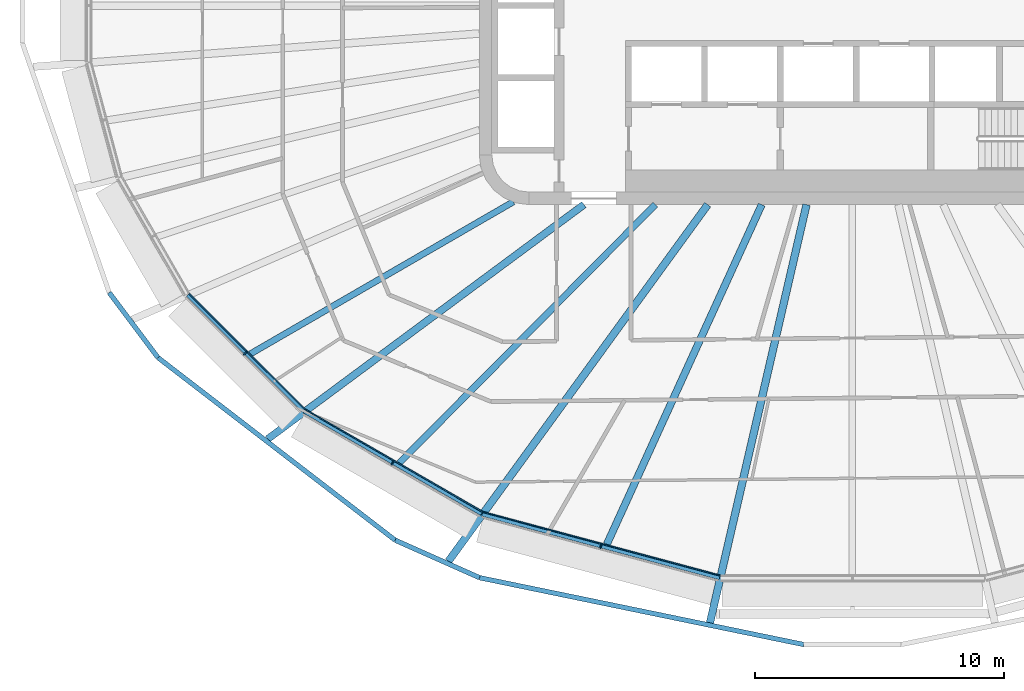
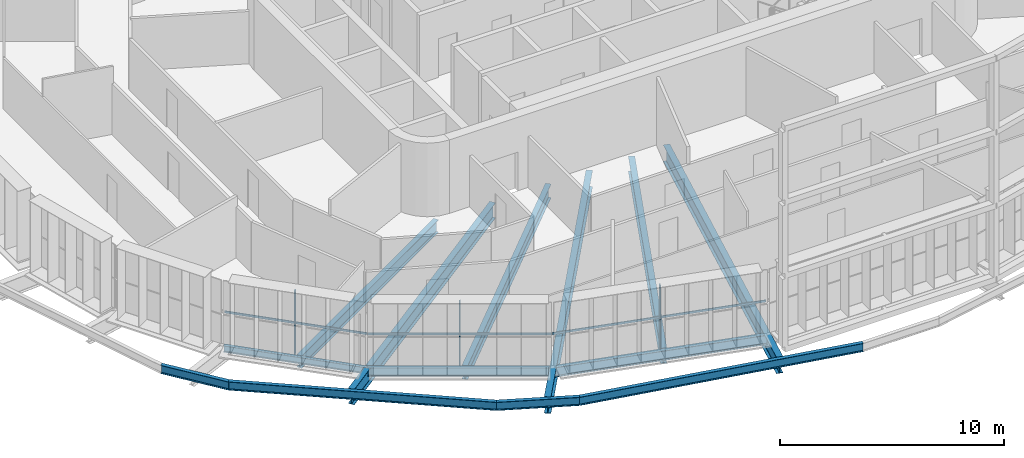
# One storey, part 1 of 23: 13 beams, 6 members, 3 elements without a shape of their own.
"""IFC4 building model written with IfcOpenShell, lengths in metres."""

from ifc_helpers import new_model, si_unit, direction, frame, origin, origin_2d, place, context, subcontext, project, spatial, rectangle, i_section, extrude, material, layer, layer_set, material_profile, profile_set, type_object, element, aggregate, save


model = new_model("IFC4")

# Units and contexts
model_context = context("Model", 3, precision=1e-05, world=origin(), true_north=direction((0.0, 1.0)))
body_context = subcontext(model_context, "Body", "Model", "MODEL_VIEW")
ifc_project = project(units=[si_unit("LENGTHUNIT", "METRE"), si_unit("AREAUNIT", "SQUARE_METRE"), si_unit("VOLUMEUNIT", "CUBIC_METRE"), si_unit("PLANEANGLEUNIT", "RADIAN"), si_unit("MASSUNIT", "GRAM", prefix="KILO")], contexts=[model_context])

# Site, building, storey
site_placement = place(None, origin())
site = spatial("IfcSite", under=ifc_project, at=site_placement, CompositionType="ELEMENT")
building_placement = place(site_placement, origin())
building = spatial("IfcBuilding", under=site, at=building_placement, Name="Sahrelin Media Tower", CompositionType="ELEMENT")
storey_placement = place(building_placement, frame((0.0, 0.0, 185.60009765625)))
storey = spatial("IfcBuildingStorey", under=building, at=storey_placement, Name="L39", CompositionType="ELEMENT", Elevation=185.60009765625)

# Beams
ifc_material_1 = material(Name="Steel S355", Category="steel")
ifc_material_profile_1 = material_profile(ifc_material_1, i_section(OverallWidth=0.17138671875, OverallDepth=0.35498046875, WebThickness=0.00732421875, FlangeThickness=0.011474609375, FilletRadius=0.01025390625, at=origin_2d()), Name="UB 356x171x51")
ifc_profile_set_1 = profile_set([ifc_material_profile_1], Name="Steel S355")
beam_type_1 = type_object("IfcBeamType", Name="Edge beam EB3", PredefinedType="BEAM", material=ifc_profile_set_1)
beam_1_placement = place(storey_placement, frame((-22.05224609375, -16.27490234375, -0.32763671875), z_axis=(-0.70708825429, 0.707125307597, 0.0), x_axis=(-0.707125307597, -0.70708825429, 0.0)))
element("IfcBeam", 1, at=beam_1_placement, inside=storey, type_object=beam_type_1, Name="Edge beam L39-10", PredefinedType="BEAM", context=body_context, shape_type="SweptSolid", body=[
    extrude(i_section(OverallWidth=0.17138671875, OverallDepth=0.35498046875, WebThickness=0.00732421875, FlangeThickness=0.011474609375, FilletRadius=0.01025390625, at=origin_2d()), origin(), (0.0, 0.0, 1.0), 6.5888671875),
])
ifc_material_profile_2 = material_profile(ifc_material_1, i_section(OverallWidth=0.1904296875, OverallDepth=0.45703125, WebThickness=0.009033203125, FlangeThickness=0.014404296875, FilletRadius=0.01025390625, at=origin_2d()), Name="UB 457x191x74")
ifc_profile_set_2 = profile_set([ifc_material_profile_2], Name="Steel S355")
beam_type_2 = type_object("IfcBeamType", Name="Edge beam EB5", PredefinedType="BEAM", material=ifc_profile_set_2)
beam_2_placement = place(storey_placement, frame((-14.901611328125, -20.40771484375, -0.378662109375), z_axis=(-0.8660092336, 0.500028006535, 0.0), x_axis=(-0.500028006535, -0.8660092336, 0.0)))
element("IfcBeam", 2, at=beam_2_placement, inside=storey, type_object=beam_type_2, Name="Edge beam L39-09", PredefinedType="BEAM", context=body_context, shape_type="SweptSolid", body=[
    extrude(i_section(OverallWidth=0.1904296875, OverallDepth=0.45703125, WebThickness=0.009033203125, FlangeThickness=0.014404296875, FilletRadius=0.01025390625, at=origin_2d()), origin(), (0.0, 0.0, 1.0), 8.23046875),
])
ifc_material_profile_3 = material_profile(ifc_material_1, i_section(OverallWidth=0.208740234375, OverallDepth=0.5283203125, WebThickness=0.009521484375, FlangeThickness=0.01318359375, FilletRadius=0.0126953125, at=origin_2d()), Name="UB 533x210x82")
ifc_profile_set_3 = profile_set([ifc_material_profile_3], Name="Steel S355")
beam_type_3 = type_object("IfcBeamType", Name="Edge beam EB6", PredefinedType="BEAM", material=ifc_profile_set_3)
beam_3_placement = place(storey_placement, frame((-5.333984375, -22.97509765625, -0.414306640625), z_axis=(-0.965928634298, 0.258808565244, 0.0), x_axis=(-0.258808565244, -0.965928634298, 0.0)))
element("IfcBeam", 3, at=beam_3_placement, inside=storey, type_object=beam_type_3, Name="Edge beam L39-08", PredefinedType="BEAM", context=body_context, shape_type="SweptSolid", body=[
    extrude(i_section(OverallWidth=0.208740234375, OverallDepth=0.5283203125, WebThickness=0.009521484375, FlangeThickness=0.01318359375, FilletRadius=0.0126953125, at=origin_2d()), origin(), (0.0, 0.0, 1.0), 9.87744140625),
])

# Curtain wall, member
ifc_material_2 = material(Name="Champagne anodised aluminium 6063-T6", Category="aluminium")
ifc_layer = layer(ifc_material_2, 0.14990234375)
ifc_layer_set = layer_set([ifc_layer], Name="Tower ribbon curtain wall")
curtain_wall_type = type_object("IfcCurtainWallType", Name="Tower ribbon curtain wall", PredefinedType="NOTDEFINED", material=ifc_layer_set)
curtain_wall_1_placement = place(storey_placement, frame((-24.48779296875, -14.05126953125, 0.0), z_axis=(0.0, 0.0, 1.0), x_axis=(1.0, 0.0, 0.0)))
curtain_wall_1 = element("IfcCurtainWall", 4, at=curtain_wall_1_placement, inside=storey, type_object=curtain_wall_type, Name="L39:CW:L39-15", PredefinedType="NOTDEFINED")
ifc_material_profile_4 = material_profile(ifc_material_2, rectangle(XDim=0.06005859375, YDim=0.175048828125, at=origin_2d()), Name="Mullion 60x175")
ifc_profile_set_4 = profile_set([ifc_material_profile_4], Name="Champagne anodised aluminium 6063-T6")
member_type_1 = type_object("IfcMemberType", Name="Mullion 60x175 CW1B", PredefinedType="MULLION", material=ifc_profile_set_4)
member_1_placement = place(storey_placement, frame((-24.411865234375, -13.975341796875, 0.0), z_axis=(0.0, 0.0, 1.0), x_axis=(0.707106781187, -0.707106781187, 0.0)))
member_1 = element("IfcMember", 5, at=member_1_placement, type_object=member_type_1, Name="L39:CWM:L39-15", PredefinedType="MULLION", context=body_context, shape_type="SweptSolid", body=[
    extrude(rectangle(XDim=0.06005859375, YDim=0.175048828125, at=origin_2d()), origin(), (0.0, 0.0, 1.0), 3.448486328125),
])

curtain_wall_2_placement = place(storey_placement, frame((-18.54052734375, -18.47998046875, 0.0), z_axis=(0.0, 0.0, 1.0), x_axis=(1.0, 0.0, 0.0)))
curtain_wall_2 = element("IfcCurtainWall", 6, at=curtain_wall_2_placement, inside=storey, type_object=curtain_wall_type, Name="L39:CW:L39-16", PredefinedType="NOTDEFINED")
member_2_placement = place(storey_placement, frame((-18.48681640625, -18.38671875, 0.0), z_axis=(0.0, 0.0, 1.0), x_axis=(0.86602365845, -0.500003022996, 0.0)))
member_2 = element("IfcMember", 7, at=member_2_placement, type_object=member_type_1, Name="L39:CWM:L39-16", PredefinedType="MULLION", context=body_context, shape_type="SweptSolid", body=[
    extrude(rectangle(XDim=0.06005859375, YDim=0.175048828125, at=origin_2d()), origin(), (0.0, 0.0, 1.0), 3.448486328125),
])

curtain_wall_3_placement = place(storey_placement, frame((-10.143310546875, -21.841796875, 0.0), z_axis=(0.0, 0.0, 1.0), x_axis=(1.0, 0.0, 0.0)))
curtain_wall_3 = element("IfcCurtainWall", 8, at=curtain_wall_3_placement, inside=storey, type_object=curtain_wall_type, Name="L39:CW:L39-17", PredefinedType="NOTDEFINED")
member_3_placement = place(storey_placement, frame((-10.115478515625, -21.73779296875, 0.0), z_axis=(0.0, 0.0, 1.0), x_axis=(0.965924922834, -0.258822416818, 0.0)))
member_3 = element("IfcMember", 9, at=member_3_placement, type_object=member_type_1, Name="L39:CWM:L39-17", PredefinedType="MULLION", context=body_context, shape_type="SweptSolid", body=[
    extrude(rectangle(XDim=0.06005859375, YDim=0.175048828125, at=origin_2d()), origin(), (0.0, 0.0, 1.0), 3.448486328125),
])

# Beams
ifc_material_profile_5 = material_profile(ifc_material_1, i_section(OverallWidth=0.291748046875, OverallDepth=0.8349609375, WebThickness=0.013916015625, FlangeThickness=0.018798828125, FilletRadius=0.017822265625, at=origin_2d()), Name="UB 838x292x176")
ifc_profile_set_5 = profile_set([ifc_material_profile_5], Name="Steel S355")
beam_type_4 = type_object("IfcBeamType", Name="Radial primary beam PB10", PredefinedType="BEAM", material=ifc_profile_set_5)
beam_4_placement = place(storey_placement, frame((-10.793701171875, -8.0, -0.567626953125), z_axis=(-0.803393982722, -0.595447821833, 0.0), x_axis=(0.595447821833, -0.803393982722, 0.0)))
element("IfcBeam", 10, at=beam_4_placement, inside=storey, type_object=beam_type_4, Name="Radial beam L39-16", PredefinedType="BEAM", context=body_context, shape_type="SweptSolid", body=[
    extrude(i_section(OverallWidth=0.291748046875, OverallDepth=0.8349609375, WebThickness=0.013916015625, FlangeThickness=0.018798828125, FilletRadius=0.017822265625, at=origin_2d()), origin(), (0.0, 0.0, 1.0), 15.82275390625),
])
ifc_material_profile_6 = material_profile(ifc_material_1, i_section(OverallWidth=0.30322265625, OverallDepth=0.903076171875, WebThickness=0.01513671875, FlangeThickness=0.020263671875, FilletRadius=0.01904296875, at=origin_2d()), Name="UB 914x305x201")
ifc_profile_set_6 = profile_set([ifc_material_profile_6], Name="Steel S355")
beam_type_5 = type_object("IfcBeamType", Name="Radial primary beam PB11", PredefinedType="BEAM", material=ifc_profile_set_6)
beam_5_placement = place(storey_placement, frame((-5.8173828125, -8.0, -0.6015625), z_axis=(-0.588118455861, -0.808774802943, 0.0), x_axis=(0.808774802943, -0.588118455861, 0.0)))
element("IfcBeam", 11, at=beam_5_placement, inside=storey, type_object=beam_type_5, Name="Radial beam L39-17", PredefinedType="BEAM", context=body_context, shape_type="SweptSolid", body=[
    extrude(i_section(OverallWidth=0.30322265625, OverallDepth=0.903076171875, WebThickness=0.01513671875, FlangeThickness=0.020263671875, FilletRadius=0.01904296875, at=origin_2d()), origin(), (0.0, 0.0, 1.0), 17.722900390625),
])
beam_6_placement = place(storey_placement, frame((-1.846923828125, -8.0, -0.6015625), z_axis=(-0.224939098631, -0.974372824902, 0.0), x_axis=(0.974372824902, -0.224939098631, 0.0)))
element("IfcBeam", 12, at=beam_6_placement, inside=storey, type_object=beam_type_5, Name="Radial beam L39-18", PredefinedType="BEAM", context=body_context, shape_type="SweptSolid", body=[
    extrude(i_section(OverallWidth=0.30322265625, OverallDepth=0.903076171875, WebThickness=0.01513671875, FlangeThickness=0.020263671875, FilletRadius=0.01904296875, at=origin_2d()), origin(), (0.0, 0.0, 1.0), 17.249755859375),
])
ifc_material_profile_7 = material_profile(ifc_material_1, i_section(OverallWidth=0.291748046875, OverallDepth=0.8349609375, WebThickness=0.013916015625, FlangeThickness=0.018798828125, FilletRadius=0.017822265625, at=origin_2d()), Name="UB 838x292x176")
ifc_profile_set_7 = profile_set([ifc_material_profile_7], Name="Steel S355")
beam_type_6 = type_object("IfcBeamType", Name="Radial secondary beam SB10", PredefinedType="BEAM", material=ifc_profile_set_7)
beam_7_placement = place(storey_placement, frame((-3.647705078125, -8.0, -0.567626953125), z_axis=(-0.414888908569, -0.909872075374, 0.0), x_axis=(0.909872075374, -0.414888908569, 0.0)))
element("IfcBeam", 13, at=beam_7_placement, inside=storey, type_object=beam_type_6, Name="Secondary beam L39-17", PredefinedType="BEAM", context=body_context, shape_type="SweptSolid", body=[
    extrude(i_section(OverallWidth=0.291748046875, OverallDepth=0.8349609375, WebThickness=0.013916015625, FlangeThickness=0.018798828125, FilletRadius=0.017822265625, at=origin_2d()), origin(), (0.0, 0.0, 1.0), 15.003173828125),
])
ifc_material_profile_8 = material_profile(ifc_material_1, i_section(OverallWidth=0.2529296875, OverallDepth=0.677978515625, WebThickness=0.01171875, FlangeThickness=0.01611328125, FilletRadius=0.01513671875, at=origin_2d()), Name="UB 686x254x125")
ifc_profile_set_8 = profile_set([ifc_material_profile_8], Name="Steel S355")
beam_type_7 = type_object("IfcBeamType", Name="Radial secondary beam SB8", PredefinedType="BEAM", material=ifc_profile_set_8)
beam_8_placement = place(storey_placement, frame((-13.63134765625, -7.884765625, -0.489013671875), z_axis=(-0.865627368976, -0.500688783658, 0.0), x_axis=(0.500688783658, -0.865627368976, 0.0)))
element("IfcBeam", 14, at=beam_8_placement, inside=storey, type_object=beam_type_7, Name="Secondary beam L39-15", PredefinedType="BEAM", context=body_context, shape_type="SweptSolid", body=[
    extrude(i_section(OverallWidth=0.2529296875, OverallDepth=0.677978515625, WebThickness=0.01171875, FlangeThickness=0.01611328125, FilletRadius=0.01513671875, at=origin_2d()), origin(), (0.0, 0.0, 1.0), 12.215087890625),
])
ifc_material_profile_9 = material_profile(ifc_material_1, i_section(OverallWidth=0.26513671875, OverallDepth=0.75390625, WebThickness=0.0126953125, FlangeThickness=0.017578125, FilletRadius=0.0166015625, at=origin_2d()), Name="UB 762x267x147")
ifc_profile_set_9 = profile_set([ifc_material_profile_9], Name="Steel S355")
beam_type_8 = type_object("IfcBeamType", Name="Radial secondary beam SB9", PredefinedType="BEAM", material=ifc_profile_set_9)
beam_9_placement = place(storey_placement, frame((-7.927490234375, -8.0, -0.527099609375), z_axis=(-0.70389286124, -0.710306159269, 0.0), x_axis=(0.710306159269, -0.70389286124, 0.0)))
element("IfcBeam", 15, at=beam_9_placement, inside=storey, type_object=beam_type_8, Name="Secondary beam L39-16", PredefinedType="BEAM", context=body_context, shape_type="SweptSolid", body=[
    extrude(i_section(OverallWidth=0.26513671875, OverallDepth=0.75390625, WebThickness=0.0126953125, FlangeThickness=0.017578125, FilletRadius=0.0166015625, at=origin_2d()), origin(), (0.0, 0.0, 1.0), 14.6181640625),
])
ifc_material_profile_10 = material_profile(ifc_material_1, i_section(OverallWidth=0.1904296875, OverallDepth=0.45703125, WebThickness=0.009033203125, FlangeThickness=0.014404296875, FilletRadius=0.01025390625, at=origin_2d()), Name="UB 457x191x74")
ifc_profile_set_10 = profile_set([ifc_material_profile_10], Name="Steel S355")
beam_type_9 = type_object("IfcBeamType", Name="Tie chord TC5", PredefinedType="BEAM", material=ifc_profile_set_10)
beam_10_placement = place(storey_placement, frame((-29.875244140625, -11.53564453125, -0.378662109375), z_axis=(0.600059847202, -0.7999551111, 0.0), x_axis=(0.7999551111, 0.600059847202, 0.0)))
element("IfcBeam", 16, at=beam_10_placement, inside=storey, type_object=beam_type_9, Name="Tie chord L39-14", PredefinedType="BEAM", context=body_context, shape_type="SweptSolid", body=[
    extrude(i_section(OverallWidth=0.1904296875, OverallDepth=0.45703125, WebThickness=0.009033203125, FlangeThickness=0.014404296875, FilletRadius=0.01025390625, at=origin_2d()), origin(), (0.0, 0.0, 1.0), 3.263427734375),
])
beam_11_placement = place(storey_placement, frame((-27.9169921875, -14.146240234375, -0.378662109375), z_axis=(0.792442979882, -0.60994600059, 0.0), x_axis=(0.60994600059, 0.792442979882, 0.0)))
element("IfcBeam", 17, at=beam_11_placement, inside=storey, type_object=beam_type_9, Name="Tie chord L39-15", PredefinedType="BEAM", context=body_context, shape_type="SweptSolid", body=[
    extrude(i_section(OverallWidth=0.1904296875, OverallDepth=0.45703125, WebThickness=0.009033203125, FlangeThickness=0.014404296875, FilletRadius=0.01025390625, at=origin_2d()), origin(), (0.0, 0.0, 1.0), 12.035888671875),
])
beam_12_placement = place(storey_placement, frame((-18.379150390625, -21.487548828125, -0.378662109375), z_axis=(0.913827822394, -0.406101848086, 0.0), x_axis=(0.406101848086, 0.913827822394, 0.0)))
element("IfcBeam", 18, at=beam_12_placement, inside=storey, type_object=beam_type_9, Name="Tie chord L39-16", PredefinedType="BEAM", context=body_context, shape_type="SweptSolid", body=[
    extrude(i_section(OverallWidth=0.1904296875, OverallDepth=0.45703125, WebThickness=0.009033203125, FlangeThickness=0.014404296875, FilletRadius=0.01025390625, at=origin_2d()), origin(), (0.0, 0.0, 1.0), 3.711669921875),
])
beam_13_placement = place(storey_placement, frame((-14.9873046875, -22.994873046875, -0.378662109375), z_axis=(0.979389291398, -0.201981721684, 0.0), x_axis=(0.201981721684, 0.979389291398, 0.0)))
element("IfcBeam", 19, at=beam_13_placement, inside=storey, type_object=beam_type_9, Name="Tie chord L39-17", PredefinedType="BEAM", context=body_context, shape_type="SweptSolid", body=[
    extrude(i_section(OverallWidth=0.1904296875, OverallDepth=0.45703125, WebThickness=0.009033203125, FlangeThickness=0.014404296875, FilletRadius=0.01025390625, at=origin_2d()), origin(), (0.0, 0.0, 1.0), 13.30322265625),
])

# Member
ifc_material_profile_11 = material_profile(ifc_material_2, rectangle(XDim=0.050048828125, YDim=0.110107421875, at=origin_2d()), Name="Transom 50x110")
ifc_profile_set_11 = profile_set([ifc_material_profile_11], Name="Champagne anodised aluminium 6063-T6")
member_type_2 = type_object("IfcMemberType", Name="Transom 50x110 CW1B", PredefinedType="USERDEFINED", material=ifc_profile_set_11)
member_4_placement = place(storey_placement, frame((-26.650634765625, -11.577392578125, 1.599853515625), z_axis=(0.707106781187, -0.707106781187, 0.0), x_axis=(0.707106781187, 0.707106781187, 0.0)))
member_4 = element("IfcMember", 20, at=member_4_placement, type_object=member_type_2, Name="L39:CWT:L39-15", ObjectType="TRANSOM", PredefinedType="USERDEFINED", context=body_context, shape_type="SweptSolid", body=[
    extrude(rectangle(XDim=0.050048828125, YDim=0.110107421875, at=origin_2d()), origin(), (0.0, 0.0, 1.0), 6.557373046875),
])

aggregate(curtain_wall_1, [member_1, member_4])

member_5_placement = place(storey_placement, frame((-21.980712890625, -16.239501953125, 1.599853515625), z_axis=(0.866020958405, -0.500007699544, 0.0), x_axis=(0.500007699544, 0.866020958405, 0.0)))
member_5 = element("IfcMember", 21, at=member_5_placement, type_object=member_type_2, Name="L39:CWT:L39-16", ObjectType="TRANSOM", PredefinedType="USERDEFINED", context=body_context, shape_type="SweptSolid", body=[
    extrude(rectangle(XDim=0.050048828125, YDim=0.110107421875, at=origin_2d()), origin(), (0.0, 0.0, 1.0), 8.198974609375),
])

aggregate(curtain_wall_2, [member_2, member_5])

member_6_placement = place(storey_placement, frame((-14.841796875, -20.35498046875, 1.599853515625), z_axis=(0.965921045244, -0.258836887547, 0.0), x_axis=(0.258836887547, 0.965921045244, 0.0)))
member_6 = element("IfcMember", 22, at=member_6_placement, type_object=member_type_2, Name="L39:CWT:L39-17", ObjectType="TRANSOM", PredefinedType="USERDEFINED", context=body_context, shape_type="SweptSolid", body=[
    extrude(rectangle(XDim=0.050048828125, YDim=0.110107421875, at=origin_2d()), origin(), (0.0, 0.0, 1.0), 9.84619140625),
])

aggregate(curtain_wall_3, [member_3, member_6])

save(model, "model.ifc")
